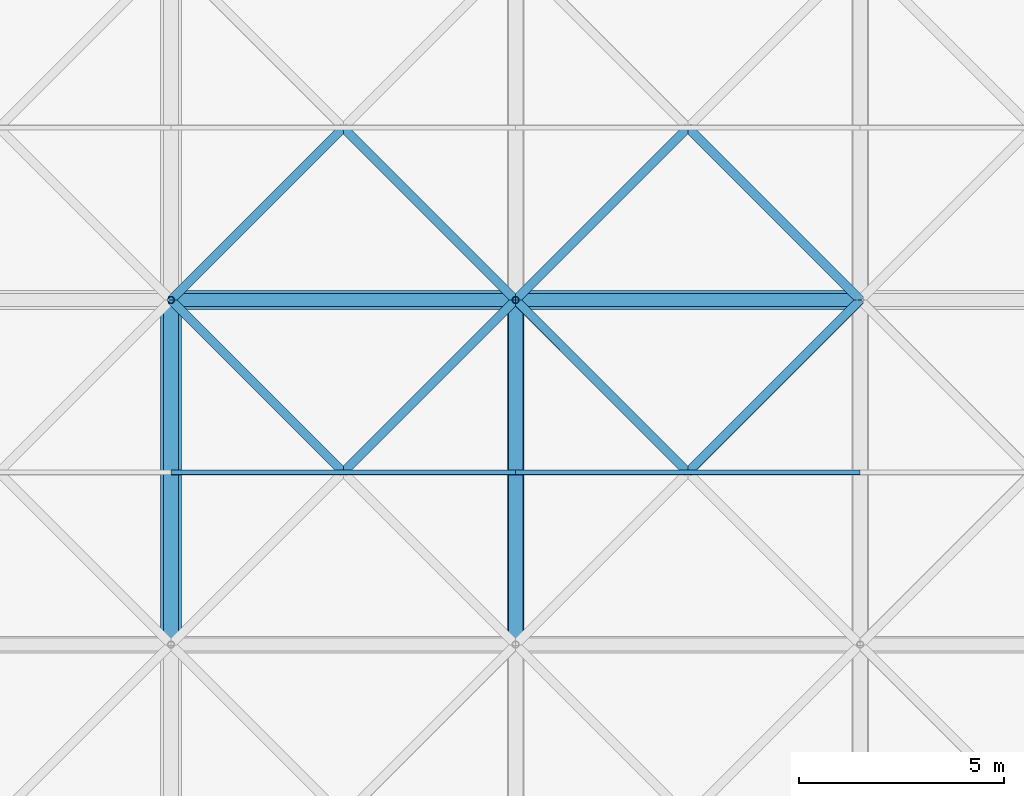
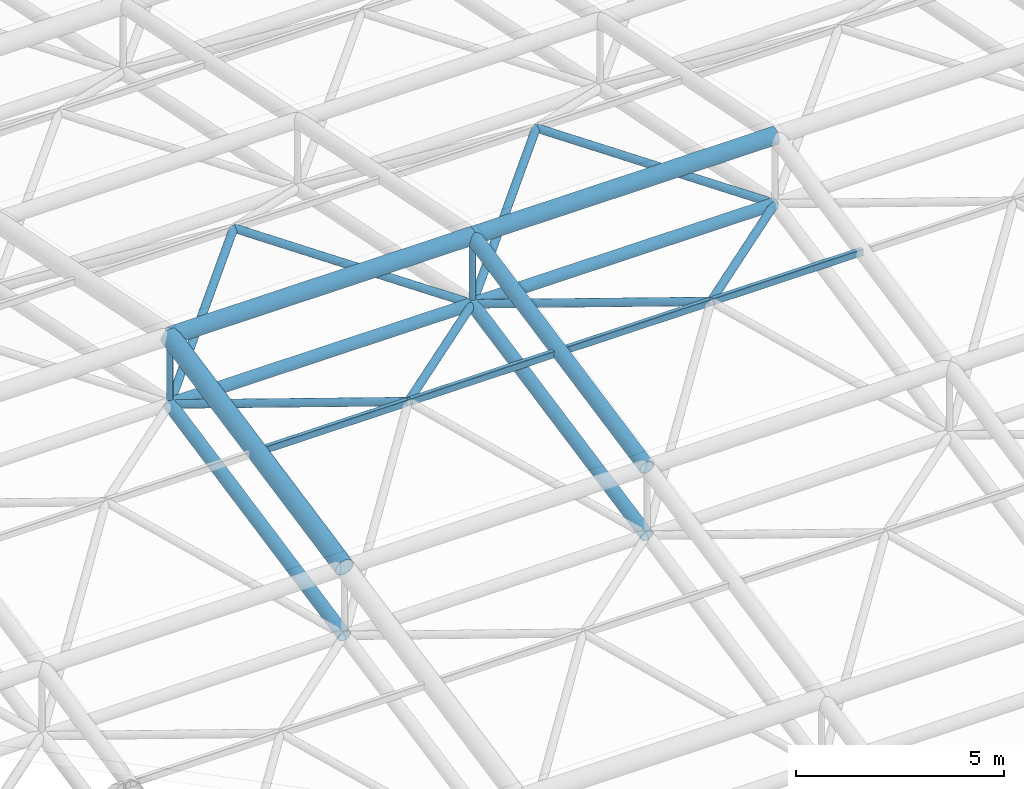
# One storey, part 30 of 81: 20 members.
"""IFC4 building model written with IfcOpenShell, lengths in metres."""

from ifc_helpers import new_model, si_unit, direction, frame, origin, origin_2d, place, context, subcontext, project, spatial, hollow_rectangle, hollow_circle, extrude, material, material_profile, profile_set, type_object, element, save


model = new_model("IFC4")

# Units and contexts
model_context = context("Model", 3, precision=1e-05, world=origin(), true_north=direction((0.0, 1.0)))
body_context = subcontext(model_context, "Body", "Model", "MODEL_VIEW")
ifc_project = project(units=[si_unit("LENGTHUNIT", "METRE"), si_unit("AREAUNIT", "SQUARE_METRE"), si_unit("VOLUMEUNIT", "CUBIC_METRE"), si_unit("PLANEANGLEUNIT", "RADIAN"), si_unit("MASSUNIT", "GRAM", prefix="KILO")], contexts=[model_context])

# Site, building, storey
site_placement = place(None, origin())
site = spatial("IfcSite", under=ifc_project, at=site_placement, CompositionType="ELEMENT")
building_placement = place(site_placement, origin())
building = spatial("IfcBuilding", under=site, at=building_placement, Name="Qawsi Khor Wholesale Market", CompositionType="ELEMENT")
storey_placement = place(building_placement, frame((0.0, 0.0, 16.199951171875)))
storey = spatial("IfcBuildingStorey", under=building, at=storey_placement, Name="L03", CompositionType="ELEMENT", Elevation=16.199951171875)

# Members
ifc_material = material(Name="Steel S355", Category="steel")
ifc_material_profile_1 = material_profile(ifc_material, hollow_circle(Radius=0.177734375, WallThickness=0.01611328125, at=origin_2d()), Name="CHS 355.6x16.0")
ifc_profile_set_1 = profile_set([ifc_material_profile_1], Name="Steel S355")
member_type_1 = type_object("IfcMemberType", Name="Space-Frame Bottom Chord CHS 355.6x16.0", PredefinedType="CHORD", material=ifc_profile_set_1)
for number, where, z_axis, x_axis, name in (
    (1, (16.800048828125, 67.199951171875, 5.070068359375), (0.0, 0.98013111127, 0.198350711418), (-1.0, 0.0, 0.0), "Space frame bottom chord Y WH (2,8)"),
    (2, (25.199951171875, 67.199951171875, 5.070068359375), (0.0, 0.98013111127, 0.198350711418), (-1.0, 0.0, 0.0), "Space frame bottom chord Y WH (3,8)"),
):
    element("IfcMember", number, at=place(storey_placement, frame(where, z_axis=z_axis, x_axis=x_axis)), inside=storey, type_object=member_type_1, Name=name, PredefinedType="CHORD", context=body_context, shape_type="SweptSolid", body=[
        extrude(hollow_circle(Radius=0.177734375, WallThickness=0.01611328125, at=origin_2d()), origin(), (0.0, 0.0, 1.0), 8.5703125),
    ])
ifc_material_profile_2 = material_profile(ifc_material, hollow_rectangle(XDim=0.1201171875, YDim=0.199951171875, WallThickness=0.008056640625, InnerFilletRadius=0.008056640625, OuterFilletRadius=0.01611328125, at=origin_2d()), Name="RHS 200x120x8.0")
ifc_profile_set_2 = profile_set([ifc_material_profile_2], Name="Steel S355")
member_type_2 = type_object("IfcMemberType", Name="Space-Frame Heavy Purlin RHS 200x120x8.0", PredefinedType="PURLIN", material=ifc_profile_set_2)
member_1_placement = place(storey_placement, frame((16.800048828125, 71.39990234375, 7.920166015625), z_axis=(1.0, 0.0, 0.0), x_axis=(0.0, 1.0, 0.0)))
element("IfcMember", 3, at=member_1_placement, inside=storey, type_object=member_type_2, Name="Space frame purlin WH (2,8)", PredefinedType="PURLIN", context=body_context, shape_type="SweptSolid", body=[
    extrude(hollow_rectangle(XDim=0.1201171875, YDim=0.199951171875, WallThickness=0.008056640625, InnerFilletRadius=0.008056640625, OuterFilletRadius=0.01611328125, at=origin_2d()), origin(), (0.0, 0.0, 1.0), 8.39990234375),
])
member_2_placement = place(storey_placement, frame((25.199951171875, 71.39990234375, 7.920166015625), z_axis=(1.0, 0.0, 0.0), x_axis=(0.0, 1.0, 0.0)))
element("IfcMember", 4, at=member_2_placement, inside=storey, type_object=member_type_2, Name="Space frame purlin WH (3,8)", PredefinedType="PURLIN", context=body_context, shape_type="SweptSolid", body=[
    extrude(hollow_rectangle(XDim=0.1201171875, YDim=0.199951171875, WallThickness=0.008056640625, InnerFilletRadius=0.008056640625, OuterFilletRadius=0.01611328125, at=origin_2d()), origin(), (0.0, 0.0, 1.0), 8.400146484375),
])
ifc_material_profile_3 = material_profile(ifc_material, hollow_circle(Radius=0.109619140625, WallThickness=0.010009765625, at=origin_2d()), Name="CHS 219.1x10.0")
ifc_profile_set_3 = profile_set([ifc_material_profile_3], Name="Steel S355")
member_type_3 = type_object("IfcMemberType", Name="Space-Frame Inner Diagonal CHS 219.1x10.0", PredefinedType="RAFTER", material=ifc_profile_set_3)
for number, where, z_axis, x_axis, name in (
    (5, (25.199951171875, 75.60009765625, 6.77001953125), (-0.694191941586, -0.694232294544, 0.190102786538), (0.707127332136, -0.70708622964, 0.0), "Space frame diagonal WH (2,8)-3"),
    (6, (16.800048828125, 75.60009765625, 6.77001953125), (0.694191941586, -0.694232294544, 0.190102786538), (0.707127332136, 0.70708622964, 0.0), "Space frame diagonal WH (2,8)-4"),
    (7, (16.800048828125, 75.60009765625, 6.77001953125), (0.694211389158, 0.694211389158, 0.190108112208), (-0.707106781187, 0.707106781187, 0.0), "Space frame diagonal WH (2,9)-1"),
    (8, (25.199951171875, 75.60009765625, 6.77001953125), (-0.694211389158, 0.694211389158, 0.190108112208), (-0.707106781187, -0.707106781187, 0.0), "Space frame diagonal WH (2,9)-2"),
):
    element("IfcMember", number, at=place(storey_placement, frame(where, z_axis=z_axis, x_axis=x_axis)), inside=storey, type_object=member_type_3, Name=name, PredefinedType="RAFTER", context=body_context, shape_type="SweptSolid", body=[
        extrude(hollow_circle(Radius=0.109619140625, WallThickness=0.010009765625, at=origin_2d()), origin(), (0.0, 0.0, 1.0), 6.050048828125),
    ])
member_3_placement = place(storey_placement, frame((33.60009765625, 75.60009765625, 6.77001953125), z_axis=(-0.694212847476, -0.694212847476, 0.190097461315), x_axis=(0.707106781187, -0.707106781187, 0.0)))
element("IfcMember", 9, at=member_3_placement, inside=storey, type_object=member_type_3, Name="Space frame diagonal WH (3,8)-3", PredefinedType="RAFTER", context=body_context, shape_type="SweptSolid", body=[
    extrude(hollow_circle(Radius=0.109619140625, WallThickness=0.010009765625, at=origin_2d()), origin(), (0.0, 0.0, 1.0), 6.05029296875),
])
for number, where, z_axis, x_axis, name in (
    (10, (25.199951171875, 75.60009765625, 6.77001953125), (0.694191941586, -0.694232294544, 0.190102786538), (0.707127332136, 0.70708622964, 0.0), "Space frame diagonal WH (3,8)-4"),
    (11, (25.199951171875, 75.60009765625, 6.77001953125), (0.694211389158, 0.694211389158, 0.190108112208), (-0.707106781187, 0.707106781187, 0.0), "Space frame diagonal WH (3,9)-1"),
    (12, (33.60009765625, 75.60009765625, 6.77001953125), (-0.694232294544, 0.694191941586, 0.190102786538), (-0.70708622964, -0.707127332136, 0.0), "Space frame diagonal WH (3,9)-2"),
):
    element("IfcMember", number, at=place(storey_placement, frame(where, z_axis=z_axis, x_axis=x_axis)), inside=storey, type_object=member_type_3, Name=name, PredefinedType="RAFTER", context=body_context, shape_type="SweptSolid", body=[
        extrude(hollow_circle(Radius=0.109619140625, WallThickness=0.010009765625, at=origin_2d()), origin(), (0.0, 0.0, 1.0), 6.050048828125),
    ])
ifc_material_profile_4 = material_profile(ifc_material, hollow_circle(Radius=0.25390625, WallThickness=0.02490234375, at=origin_2d()), Name="CHS 508.0x25.0")
ifc_profile_set_4 = profile_set([ifc_material_profile_4], Name="Steel S355")
member_type_4 = type_object("IfcMemberType", Name="Space-Frame Main Chord CHS 508.0x25.0", PredefinedType="CHORD", material=ifc_profile_set_4)
member_4_placement = place(storey_placement, frame((16.800048828125, 67.199951171875, 7.070068359375), z_axis=(0.0, 0.98013111127, 0.198350711418), x_axis=(-1.0, 0.0, 0.0)))
element("IfcMember", 13, at=member_4_placement, inside=storey, type_object=member_type_4, Name="Space frame top chord Y WH (2,8)", PredefinedType="CHORD", context=body_context, shape_type="SweptSolid", body=[
    extrude(hollow_circle(Radius=0.25390625, WallThickness=0.02490234375, at=origin_2d()), origin(), (0.0, 0.0, 1.0), 8.5703125),
])
ifc_material_profile_5 = material_profile(ifc_material, hollow_circle(Radius=0.228515625, WallThickness=0.02001953125, at=origin_2d()), Name="CHS 457.0x20.0")
ifc_profile_set_5 = profile_set([ifc_material_profile_5], Name="Steel S355")
member_type_5 = type_object("IfcMemberType", Name="Space-Frame Ridge Chord CHS 457.0x20.0", PredefinedType="CHORD", material=ifc_profile_set_5)
member_5_placement = place(storey_placement, frame((16.800048828125, 75.60009765625, 8.77001953125), z_axis=(1.0, 0.0, 0.0), x_axis=(0.0, 1.0, 0.0)))
element("IfcMember", 14, at=member_5_placement, inside=storey, type_object=member_type_5, Name="Space frame top chord X WH (2,9)", PredefinedType="CHORD", context=body_context, shape_type="SweptSolid", body=[
    extrude(hollow_circle(Radius=0.228515625, WallThickness=0.02001953125, at=origin_2d()), origin(), (0.0, 0.0, 1.0), 8.39990234375),
])
member_6_placement = place(storey_placement, frame((25.199951171875, 75.60009765625, 8.77001953125), z_axis=(1.0, 0.0, 0.0), x_axis=(0.0, 1.0, 0.0)))
element("IfcMember", 15, at=member_6_placement, inside=storey, type_object=member_type_5, Name="Space frame top chord X WH (3,9)", PredefinedType="CHORD", context=body_context, shape_type="SweptSolid", body=[
    extrude(hollow_circle(Radius=0.228515625, WallThickness=0.02001953125, at=origin_2d()), origin(), (0.0, 0.0, 1.0), 8.400146484375),
])
ifc_material_profile_6 = material_profile(ifc_material, hollow_circle(Radius=0.161865234375, WallThickness=0.01611328125, at=origin_2d()), Name="CHS 323.9x16.0")
ifc_profile_set_6 = profile_set([ifc_material_profile_6], Name="Steel S355")
member_type_6 = type_object("IfcMemberType", Name="Space-Frame Secondary Chord CHS 323.9x16.0", PredefinedType="CHORD", material=ifc_profile_set_6)
member_7_placement = place(storey_placement, frame((16.800048828125, 75.60009765625, 6.77001953125), z_axis=(1.0, 0.0, 0.0), x_axis=(0.0, 1.0, 0.0)))
element("IfcMember", 16, at=member_7_placement, inside=storey, type_object=member_type_6, Name="Space frame bottom chord X WH (2,9)", PredefinedType="CHORD", context=body_context, shape_type="SweptSolid", body=[
    extrude(hollow_circle(Radius=0.161865234375, WallThickness=0.01611328125, at=origin_2d()), origin(), (0.0, 0.0, 1.0), 8.39990234375),
])
member_8_placement = place(storey_placement, frame((25.199951171875, 75.60009765625, 6.77001953125), z_axis=(1.0, 0.0, 0.0), x_axis=(0.0, 1.0, 0.0)))
element("IfcMember", 17, at=member_8_placement, inside=storey, type_object=member_type_6, Name="Space frame bottom chord X WH (3,9)", PredefinedType="CHORD", context=body_context, shape_type="SweptSolid", body=[
    extrude(hollow_circle(Radius=0.161865234375, WallThickness=0.01611328125, at=origin_2d()), origin(), (0.0, 0.0, 1.0), 8.400146484375),
])
ifc_material_profile_7 = material_profile(ifc_material, hollow_circle(Radius=0.203125, WallThickness=0.02001953125, at=origin_2d()), Name="CHS 406.4x20.0")
ifc_profile_set_7 = profile_set([ifc_material_profile_7], Name="Steel S355")
member_type_7 = type_object("IfcMemberType", Name="Space-Frame Top Chord CHS 406.4x20.0", PredefinedType="CHORD", material=ifc_profile_set_7)
member_9_placement = place(storey_placement, frame((25.199951171875, 67.199951171875, 7.070068359375), z_axis=(0.0, 0.98013111127, 0.198350711418), x_axis=(-1.0, 0.0, 0.0)))
element("IfcMember", 18, at=member_9_placement, inside=storey, type_object=member_type_7, Name="Space frame top chord Y WH (3,8)", PredefinedType="CHORD", context=body_context, shape_type="SweptSolid", body=[
    extrude(hollow_circle(Radius=0.203125, WallThickness=0.02001953125, at=origin_2d()), origin(), (0.0, 0.0, 1.0), 8.5703125),
])
ifc_material_profile_8 = material_profile(ifc_material, hollow_circle(Radius=0.084228515625, WallThickness=0.008056640625, at=origin_2d()), Name="CHS 168.3x8.0")
ifc_profile_set_8 = profile_set([ifc_material_profile_8], Name="Steel S355")
member_type_8 = type_object("IfcMemberType", Name="Space-Frame Vertical Strut CHS 168.3x8.0", PredefinedType="STRUT", material=ifc_profile_set_8)
for number, where, z_axis, x_axis, name in (
    (19, (16.800048828125, 75.60009765625, 6.77001953125), (0.0, 0.0, 1.0), (1.0, 0.0, 0.0), "Space frame post WH (2,9)"),
    (20, (25.199951171875, 75.60009765625, 6.77001953125), (0.0, 0.0, 1.0), (1.0, 0.0, 0.0), "Space frame post WH (3,9)"),
):
    element("IfcMember", number, at=place(storey_placement, frame(where, z_axis=z_axis, x_axis=x_axis)), inside=storey, type_object=member_type_8, Name=name, PredefinedType="STRUT", context=body_context, shape_type="SweptSolid", body=[
        extrude(hollow_circle(Radius=0.084228515625, WallThickness=0.008056640625, at=origin_2d()), origin(), (0.0, 0.0, 1.0), 2.0),
    ])

save(model, "model.ifc")
